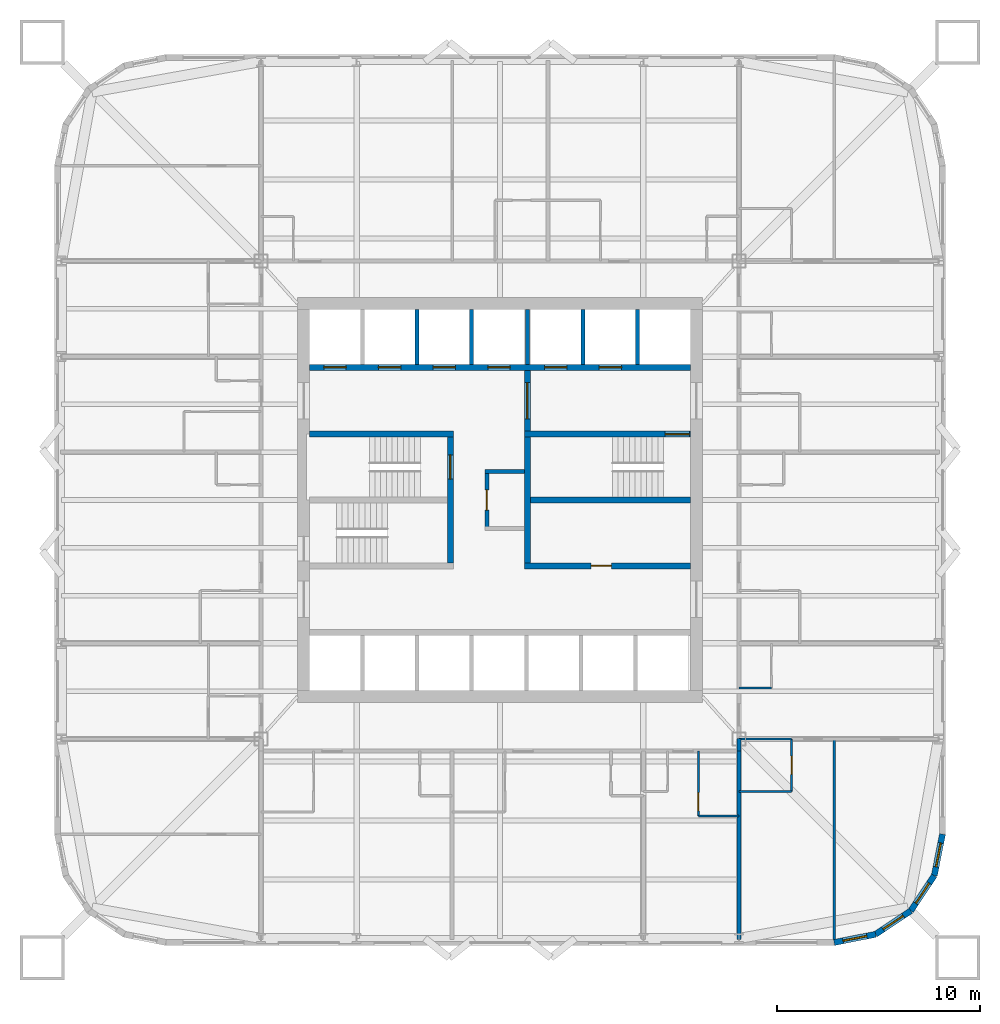
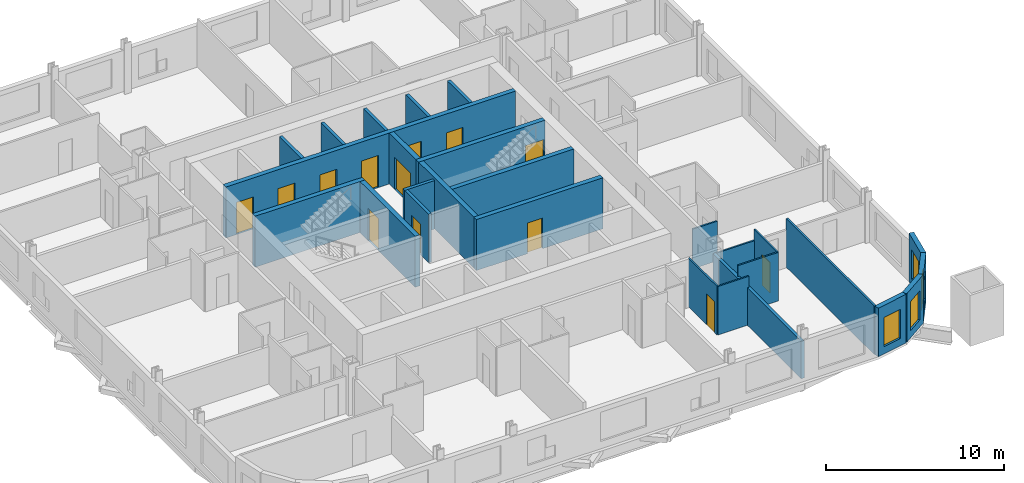
# One storey, part 5 of 10: 27 walls, 13 doors, 4 windows, 17 openings.
"""IFC4 building model written with IfcOpenShell, lengths in metres."""

from ifc_helpers import new_model, si_unit, direction, frame, frame_2d, origin, place, context, subcontext, project, spatial, rectangle, extrude, material, layer, layer_set, type_object, element, fill, save


model = new_model("IFC4")

# Units and contexts
model_context = context("Model", 3, precision=1e-05, world=origin(), true_north=direction((0.0, 1.0)))
body_context = subcontext(model_context, "Body", "Model", "MODEL_VIEW")
ifc_project = project(units=[si_unit("LENGTHUNIT", "METRE"), si_unit("AREAUNIT", "SQUARE_METRE"), si_unit("VOLUMEUNIT", "CUBIC_METRE"), si_unit("PLANEANGLEUNIT", "RADIAN"), si_unit("MASSUNIT", "GRAM", prefix="KILO")], contexts=[model_context])

# Site, building, storey
site_placement = place(None, origin())
site = spatial("IfcSite", under=ifc_project, at=site_placement, CompositionType="ELEMENT")
building_placement = place(site_placement, origin())
building = spatial("IfcBuilding", under=site, at=building_placement, Name="Turquesa Mirador Hotel Tower", CompositionType="ELEMENT")
storey_placement = place(building_placement, frame((0.0, 0.0, 60.0)))
storey = spatial("IfcBuildingStorey", under=building, at=storey_placement, Name="L15", CompositionType="ELEMENT", Elevation=60.0)

# Walls
ifc_material_1 = material(Name="Gypsum board on steel studs", Category="steel")
ifc_layer_1 = layer(ifc_material_1, 0.10009765625)
ifc_layer_set_1 = layer_set([ifc_layer_1], Name="BATHROOM WALL 100")
wall_type_1 = type_object("IfcWallType", Name="BATHROOM WALL 100", PredefinedType="PARTITIONING", material=ifc_layer_set_1)
wall_1_placement = place(storey_placement, frame((66.800048828125, 33.199951171875, 0.0), z_axis=(0.0, 0.0, 1.0), x_axis=(1.0, 0.0, 0.0)))
element("IfcWall", 1, at=wall_1_placement, inside=storey, type_object=wall_type_1, Name="Partition L15 001", PredefinedType="PARTITIONING", context=body_context, shape_type="SweptSolid", body=[
    extrude(rectangle(XDim=2.599853515625, YDim=0.10009765625, at=frame_2d((1.2998046875, 0.0))), origin(), (0.0, 0.0, 1.0), 2.572998046875),
])
wall_2_placement = place(storey_placement, frame((66.800048828125, 30.60009765625, 0.0), z_axis=(0.0, 0.0, 1.0), x_axis=(1.0, 0.0, 0.0)))
element("IfcWall", 2, at=wall_2_placement, inside=storey, type_object=wall_type_1, Name="Partition L15 006", PredefinedType="PARTITIONING", context=body_context, shape_type="SweptSolid", body=[
    extrude(rectangle(XDim=2.599853515625, YDim=0.10009765625, at=frame_2d((1.2998046875, 0.0))), origin(), (0.0, 0.0, 1.0), 3.330078125),
])
wall_3_placement = place(storey_placement, frame((64.800048828125, 29.39990234375, 0.0), z_axis=(0.0, 0.0, 1.0), x_axis=(1.0, 0.0, 0.0)))
element("IfcWall", 3, at=wall_3_placement, inside=storey, type_object=wall_type_1, Name="Partition L15 011", PredefinedType="PARTITIONING", context=body_context, shape_type="SweptSolid", body=[
    extrude(rectangle(XDim=2.0, YDim=0.10009765625, at=frame_2d((1.0, 0.0))), origin(), (0.0, 0.0, 1.0), 3.330078125),
])
wall_4_placement = place(storey_placement, frame((66.800048828125, 35.719970703125, 0.0), z_axis=(0.0, 0.0, 1.0), x_axis=(1.0, 0.0, 0.0)))
element("IfcWall", 4, at=wall_4_placement, inside=storey, type_object=wall_type_1, Name="Partition L15 017", PredefinedType="PARTITIONING", context=body_context, shape_type="SweptSolid", body=[
    extrude(rectangle(XDim=1.599853515625, YDim=0.10009765625, at=frame_2d((0.7998046875, 0.0))), origin(), (0.0, 0.0, 1.0), 2.722900390625),
])

# Wall, opening, door
wall_5_placement = place(storey_placement, frame((69.39990234375, 30.60009765625, 0.0), z_axis=(0.0, 0.0, 1.0), x_axis=(0.0, 1.0, 0.0)))
wall_5 = element("IfcWall", 5, at=wall_5_placement, inside=storey, type_object=wall_type_1, Name="Partition L15 064", PredefinedType="PARTITIONING", context=body_context, shape_type="SweptSolid", body=[
    extrude(rectangle(XDim=2.599853515625, YDim=0.10009765625, at=frame_2d((1.2998046875, 0.0))), origin(), (0.0, 0.0, 1.0), 3.330078125),
])
opening_1_placement = place(wall_5_placement, frame((0.85009765625, 0.0, 0.0)))
opening_1 = element("IfcOpeningElement", 6, at=opening_1_placement, cuts=wall_5, Name="Opening D02", PredefinedType="OPENING", context=body_context, shape_type="SweptSolid", body=[
    extrude(rectangle(XDim=0.89990234375, YDim=2.10009765625, at=frame_2d((0.449951171875, 1.050048828125))), frame((0.0, 0.06005859375, 0.0), z_axis=(0.0, -1.0, 0.0), x_axis=(1.0, 0.0, 0.0)), (0.0, 0.0, 1.0), 0.1201171875),
])
ifc_material_2 = material(Name="Timber veneered door", Category="wood")
door_type_1 = type_object("IfcDoorType", Name="DOOR 900X2100 EN-SUITE", OperationType="SINGLE_SWING_RIGHT", PredefinedType="DOOR", material=ifc_material_2)
door_1_placement = place(opening_1_placement, origin())
door_1 = element("IfcDoor", 7, at=door_1_placement, inside=storey, type_object=door_type_1, Name="Door 1513B", OperationType="SINGLE_SWING_RIGHT", OverallHeight=2.10009765625, OverallWidth=0.89990234375, PredefinedType="DOOR", context=body_context, shape_type="SweptSolid", body=[
    extrude(rectangle(XDim=0.89990234375, YDim=2.10009765625, at=frame_2d((0.449951171875, 1.050048828125))), frame((0.0, 0.02490234375, 0.0), z_axis=(0.0, -1.0, 0.0), x_axis=(1.0, 0.0, 0.0)), (0.0, 0.0, 1.0), 0.050048828125),
])
fill(opening_1, door_1)

wall_6_placement = place(storey_placement, frame((64.800048828125, 29.39990234375, 0.0), z_axis=(0.0, 0.0, 1.0), x_axis=(0.0, 1.0, 0.0)))
wall_6 = element("IfcWall", 8, at=wall_6_placement, inside=storey, type_object=wall_type_1, Name="Partition L15 076", PredefinedType="PARTITIONING", context=body_context, shape_type="SweptSolid", body=[
    extrude(rectangle(XDim=3.2001953125, YDim=0.10009765625, at=frame_2d((1.60009765625, 0.0))), origin(), (0.0, 0.0, 1.0), 3.330078125),
])
opening_2_placement = place(wall_6_placement, frame((0.25, 0.0, 0.0)))
opening_2 = element("IfcOpeningElement", 9, at=opening_2_placement, cuts=wall_6, Name="Opening D02", PredefinedType="OPENING", context=body_context, shape_type="SweptSolid", body=[
    extrude(rectangle(XDim=0.89990234375, YDim=2.10009765625, at=frame_2d((0.449951171875, 1.050048828125))), frame((0.0, 0.06005859375, 0.0), z_axis=(0.0, -1.0, 0.0), x_axis=(1.0, 0.0, 0.0)), (0.0, 0.0, 1.0), 0.1201171875),
])
door_2_placement = place(opening_2_placement, origin())
door_2 = element("IfcDoor", 10, at=door_2_placement, inside=storey, type_object=door_type_1, Name="Door 1505B", OperationType="SINGLE_SWING_RIGHT", OverallHeight=2.10009765625, OverallWidth=0.89990234375, PredefinedType="DOOR", context=body_context, shape_type="SweptSolid", body=[
    extrude(rectangle(XDim=0.89990234375, YDim=2.10009765625, at=frame_2d((0.449951171875, 1.050048828125))), frame((0.0, 0.02490234375, 0.0), z_axis=(0.0, -1.0, 0.0), x_axis=(1.0, 0.0, 0.0)), (0.0, 0.0, 1.0), 0.050048828125),
])
fill(opening_2, door_2)

# Wall, openings, doors
ifc_material_3 = material(Name="Concrete C50/60", Category="concrete")
ifc_layer_2 = layer(ifc_material_3, 0.300048828125)
ifc_layer_set_2 = layer_set([ifc_layer_2], Name="CORE INNER WALL 300")
wall_type_2 = type_object("IfcWallType", Name="CORE INNER WALL 300", PredefinedType="SHEAR", material=ifc_layer_set_2)
wall_7_placement = place(storey_placement, frame((45.60009765625, 51.550048828125, 0.0), z_axis=(0.0, 0.0, 1.0), x_axis=(1.0, 0.0, 0.0)))
wall_7 = element("IfcWall", 11, at=wall_7_placement, inside=storey, type_object=wall_type_2, Name="Core wall NL", PredefinedType="SHEAR", context=body_context, shape_type="SweptSolid", body=[
    extrude(rectangle(XDim=18.7998046875, YDim=0.300048828125, at=frame_2d((9.39990234375, 0.0))), origin(), (0.0, 0.0, 1.0), 3.5),
])
opening_3_placement = place(wall_7_placement, frame((0.699951171875, 0.0, 0.0)))
opening_3 = element("IfcOpeningElement", 12, at=opening_3_placement, cuts=wall_7, Name="Opening LD", PredefinedType="OPENING", context=body_context, shape_type="SweptSolid", body=[
    extrude(rectangle(XDim=1.10009765625, YDim=2.199951171875, at=frame_2d((0.550048828125, 1.10009765625))), frame((0.0, 0.159912109375, 0.0), z_axis=(0.0, -1.0, 0.0), x_axis=(1.0, 0.0, 0.0)), (0.0, 0.0, 1.0), 0.320068359375),
])
opening_4_placement = place(wall_7_placement, frame((3.39990234375, 0.0, 0.0)))
opening_4 = element("IfcOpeningElement", 13, at=opening_4_placement, cuts=wall_7, Name="Opening LD", PredefinedType="OPENING", context=body_context, shape_type="SweptSolid", body=[
    extrude(rectangle(XDim=1.10009765625, YDim=2.199951171875, at=frame_2d((0.550048828125, 1.10009765625))), frame((0.0, 0.159912109375, 0.0), z_axis=(0.0, -1.0, 0.0), x_axis=(1.0, 0.0, 0.0)), (0.0, 0.0, 1.0), 0.320068359375),
])
opening_5_placement = place(wall_7_placement, frame((6.10009765625, 0.0, 0.0)))
opening_5 = element("IfcOpeningElement", 14, at=opening_5_placement, cuts=wall_7, Name="Opening LD", PredefinedType="OPENING", context=body_context, shape_type="SweptSolid", body=[
    extrude(rectangle(XDim=1.10009765625, YDim=2.199951171875, at=frame_2d((0.550048828125, 1.10009765625))), frame((0.0, 0.159912109375, 0.0), z_axis=(0.0, -1.0, 0.0), x_axis=(1.0, 0.0, 0.0)), (0.0, 0.0, 1.0), 0.320068359375),
])
opening_6_placement = place(wall_7_placement, frame((8.800048828125, 0.0, 0.0)))
opening_6 = element("IfcOpeningElement", 15, at=opening_6_placement, cuts=wall_7, Name="Opening LD", PredefinedType="OPENING", context=body_context, shape_type="SweptSolid", body=[
    extrude(rectangle(XDim=1.10009765625, YDim=2.199951171875, at=frame_2d((0.550048828125, 1.10009765625))), frame((0.0, 0.159912109375, 0.0), z_axis=(0.0, -1.0, 0.0), x_axis=(1.0, 0.0, 0.0)), (0.0, 0.0, 1.0), 0.320068359375),
])
opening_7_placement = place(wall_7_placement, frame((11.60009765625, 0.0, 0.0)))
opening_7 = element("IfcOpeningElement", 16, at=opening_7_placement, cuts=wall_7, Name="Opening LD", PredefinedType="OPENING", context=body_context, shape_type="SweptSolid", body=[
    extrude(rectangle(XDim=1.10009765625, YDim=2.199951171875, at=frame_2d((0.550048828125, 1.10009765625))), frame((0.0, 0.159912109375, 0.0), z_axis=(0.0, -1.0, 0.0), x_axis=(1.0, 0.0, 0.0)), (0.0, 0.0, 1.0), 0.320068359375),
])
opening_8_placement = place(wall_7_placement, frame((14.300048828125, 0.0, 0.0)))
opening_8 = element("IfcOpeningElement", 17, at=opening_8_placement, cuts=wall_7, Name="Opening LD", PredefinedType="OPENING", context=body_context, shape_type="SweptSolid", body=[
    extrude(rectangle(XDim=1.10009765625, YDim=2.199951171875, at=frame_2d((0.550048828125, 1.10009765625))), frame((0.0, 0.159912109375, 0.0), z_axis=(0.0, -1.0, 0.0), x_axis=(1.0, 0.0, 0.0)), (0.0, 0.0, 1.0), 0.320068359375),
])
ifc_material_4 = material(Name="Stainless steel lift landing door", Category="steel")
door_type_2 = type_object("IfcDoorType", Name="LIFT LANDING DOOR 1100X2200", OperationType="SLIDING_TO_LEFT", PredefinedType="DOOR", material=ifc_material_4)
door_3_placement = place(opening_3_placement, origin())
door_3 = element("IfcDoor", 18, at=door_3_placement, inside=storey, type_object=door_type_2, Name="Lift A1 landing door", OperationType="SLIDING_TO_LEFT", OverallHeight=2.199951171875, OverallWidth=1.10009765625, PredefinedType="DOOR", context=body_context, shape_type="SweptSolid", body=[
    extrude(rectangle(XDim=1.10009765625, YDim=2.199951171875, at=frame_2d((0.550048828125, 1.10009765625))), frame((0.0, 0.02490234375, 0.0), z_axis=(0.0, -1.0, 0.0), x_axis=(1.0, 0.0, 0.0)), (0.0, 0.0, 1.0), 0.050048828125),
])
fill(opening_3, door_3)
door_4_placement = place(opening_4_placement, origin())
door_4 = element("IfcDoor", 19, at=door_4_placement, inside=storey, type_object=door_type_2, Name="Lift A2 landing door", OperationType="SLIDING_TO_LEFT", OverallHeight=2.199951171875, OverallWidth=1.10009765625, PredefinedType="DOOR", context=body_context, shape_type="SweptSolid", body=[
    extrude(rectangle(XDim=1.10009765625, YDim=2.199951171875, at=frame_2d((0.550048828125, 1.10009765625))), frame((0.0, 0.02490234375, 0.0), z_axis=(0.0, -1.0, 0.0), x_axis=(1.0, 0.0, 0.0)), (0.0, 0.0, 1.0), 0.050048828125),
])
fill(opening_4, door_4)
door_5_placement = place(opening_5_placement, origin())
door_5 = element("IfcDoor", 20, at=door_5_placement, inside=storey, type_object=door_type_2, Name="Lift A3 landing door", OperationType="SLIDING_TO_LEFT", OverallHeight=2.199951171875, OverallWidth=1.10009765625, PredefinedType="DOOR", context=body_context, shape_type="SweptSolid", body=[
    extrude(rectangle(XDim=1.10009765625, YDim=2.199951171875, at=frame_2d((0.550048828125, 1.10009765625))), frame((0.0, 0.02490234375, 0.0), z_axis=(0.0, -1.0, 0.0), x_axis=(1.0, 0.0, 0.0)), (0.0, 0.0, 1.0), 0.050048828125),
])
fill(opening_5, door_5)
door_6_placement = place(opening_6_placement, origin())
door_6 = element("IfcDoor", 21, at=door_6_placement, inside=storey, type_object=door_type_2, Name="Lift A4 landing door", OperationType="SLIDING_TO_LEFT", OverallHeight=2.199951171875, OverallWidth=1.10009765625, PredefinedType="DOOR", context=body_context, shape_type="SweptSolid", body=[
    extrude(rectangle(XDim=1.10009765625, YDim=2.199951171875, at=frame_2d((0.550048828125, 1.10009765625))), frame((0.0, 0.02490234375, 0.0), z_axis=(0.0, -1.0, 0.0), x_axis=(1.0, 0.0, 0.0)), (0.0, 0.0, 1.0), 0.050048828125),
])
fill(opening_6, door_6)
door_7_placement = place(opening_7_placement, origin())
door_7 = element("IfcDoor", 22, at=door_7_placement, inside=storey, type_object=door_type_2, Name="Lift S1 landing door", OperationType="SLIDING_TO_LEFT", OverallHeight=2.199951171875, OverallWidth=1.10009765625, PredefinedType="DOOR", context=body_context, shape_type="SweptSolid", body=[
    extrude(rectangle(XDim=1.10009765625, YDim=2.199951171875, at=frame_2d((0.550048828125, 1.10009765625))), frame((0.0, 0.02490234375, 0.0), z_axis=(0.0, -1.0, 0.0), x_axis=(1.0, 0.0, 0.0)), (0.0, 0.0, 1.0), 0.050048828125),
])
fill(opening_7, door_7)
door_8_placement = place(opening_8_placement, origin())
door_8 = element("IfcDoor", 23, at=door_8_placement, inside=storey, type_object=door_type_2, Name="Lift S2 landing door", OperationType="SLIDING_TO_LEFT", OverallHeight=2.199951171875, OverallWidth=1.10009765625, PredefinedType="DOOR", context=body_context, shape_type="SweptSolid", body=[
    extrude(rectangle(XDim=1.10009765625, YDim=2.199951171875, at=frame_2d((0.550048828125, 1.10009765625))), frame((0.0, 0.02490234375, 0.0), z_axis=(0.0, -1.0, 0.0), x_axis=(1.0, 0.0, 0.0)), (0.0, 0.0, 1.0), 0.050048828125),
])
fill(opening_8, door_8)

# Wall
wall_8_placement = place(storey_placement, frame((45.60009765625, 48.25, 0.0), z_axis=(0.0, 0.0, 1.0), x_axis=(1.0, 0.0, 0.0)))
element("IfcWall", 24, at=wall_8_placement, inside=storey, type_object=wall_type_2, Name="Core wall MN-W", PredefinedType="SHEAR", context=body_context, shape_type="SweptSolid", body=[
    extrude(rectangle(XDim=7.099853515625, YDim=0.300048828125, at=frame_2d((3.5498046875, 0.0))), origin(), (0.0, 0.0, 1.0), 3.5),
])

# Wall, opening, door
wall_9_placement = place(storey_placement, frame((56.199951171875, 48.25, 0.0), z_axis=(0.0, 0.0, 1.0), x_axis=(1.0, 0.0, 0.0)))
wall_9 = element("IfcWall", 25, at=wall_9_placement, inside=storey, type_object=wall_type_2, Name="Core wall MN-E", PredefinedType="SHEAR", context=body_context, shape_type="SweptSolid", body=[
    extrude(rectangle(XDim=8.199951171875, YDim=0.300048828125, at=frame_2d((4.10009765625, 0.0))), origin(), (0.0, 0.0, 1.0), 3.5),
])
opening_9_placement = place(wall_9_placement, frame((6.949951171875, 0.0, 0.0)))
opening_9 = element("IfcOpeningElement", 26, at=opening_9_placement, cuts=wall_9, Name="Opening D03", PredefinedType="OPENING", context=body_context, shape_type="SweptSolid", body=[
    extrude(rectangle(XDim=1.199951171875, YDim=2.199951171875, at=frame_2d((0.60009765625, 1.10009765625))), frame((0.0, 0.159912109375, 0.0), z_axis=(0.0, -1.0, 0.0), x_axis=(1.0, 0.0, 0.0)), (0.0, 0.0, 1.0), 0.320068359375),
])
ifc_material_5 = material(Name="Steel fire door", Category="steel")
door_type_3 = type_object("IfcDoorType", Name="DOOR 1200X2200 STAIR", OperationType="SINGLE_SWING_LEFT", PredefinedType="DOOR", material=ifc_material_5)
door_9_placement = place(opening_9_placement, origin())
door_9 = element("IfcDoor", 27, at=door_9_placement, inside=storey, type_object=door_type_3, Name="Stair ST3 door", OperationType="SINGLE_SWING_LEFT", OverallHeight=2.199951171875, OverallWidth=1.199951171875, PredefinedType="DOOR", context=body_context, shape_type="SweptSolid", body=[
    extrude(rectangle(XDim=1.199951171875, YDim=2.199951171875, at=frame_2d((0.60009765625, 1.10009765625))), frame((0.0, 0.02490234375, 0.0), z_axis=(0.0, -1.0, 0.0), x_axis=(1.0, 0.0, 0.0)), (0.0, 0.0, 1.0), 0.050048828125),
])
fill(opening_9, door_9)

wall_10_placement = place(storey_placement, frame((56.199951171875, 41.75, 0.0), z_axis=(0.0, 0.0, 1.0), x_axis=(1.0, 0.0, 0.0)))
wall_10 = element("IfcWall", 28, at=wall_10_placement, inside=storey, type_object=wall_type_2, Name="Core wall MS-E", PredefinedType="SHEAR", context=body_context, shape_type="SweptSolid", body=[
    extrude(rectangle(XDim=8.199951171875, YDim=0.300048828125, at=frame_2d((4.10009765625, 0.0))), origin(), (0.0, 0.0, 1.0), 3.5),
])
opening_10_placement = place(wall_10_placement, frame((3.300048828125, 0.0, 0.0)))
opening_10 = element("IfcOpeningElement", 29, at=opening_10_placement, cuts=wall_10, Name="Opening D05", PredefinedType="OPENING", context=body_context, shape_type="SweptSolid", body=[
    extrude(rectangle(XDim=1.0, YDim=2.10009765625, at=frame_2d((0.5, 1.050048828125))), frame((0.0, 0.159912109375, 0.0), z_axis=(0.0, -1.0, 0.0), x_axis=(1.0, 0.0, 0.0)), (0.0, 0.0, 1.0), 0.320068359375),
])
ifc_material_6 = material(Name="Steel fire door", Category="steel")
door_type_4 = type_object("IfcDoorType", Name="DOOR 1000X2100 SERVICE", OperationType="SINGLE_SWING_LEFT", PredefinedType="DOOR", material=ifc_material_6)
door_10_placement = place(opening_10_placement, origin())
door_10 = element("IfcDoor", 30, at=door_10_placement, inside=storey, type_object=door_type_4, Name="Housekeeping room door", OperationType="SINGLE_SWING_LEFT", OverallHeight=2.10009765625, OverallWidth=1.0, PredefinedType="DOOR", context=body_context, shape_type="SweptSolid", body=[
    extrude(rectangle(XDim=1.0, YDim=2.10009765625, at=frame_2d((0.5, 1.050048828125))), frame((0.0, 0.02490234375, 0.0), z_axis=(0.0, -1.0, 0.0), x_axis=(1.0, 0.0, 0.0)), (0.0, 0.0, 1.0), 0.050048828125),
])
fill(opening_10, door_10)

wall_11_placement = place(storey_placement, frame((52.550048828125, 41.89990234375, 0.0), z_axis=(0.0, 0.0, 1.0), x_axis=(0.0, 1.0, 0.0)))
wall_11 = element("IfcWall", 31, at=wall_11_placement, inside=storey, type_object=wall_type_2, Name="Core wall PW", PredefinedType="SHEAR", context=body_context, shape_type="SweptSolid", body=[
    extrude(rectangle(XDim=6.2001953125, YDim=0.300048828125, at=frame_2d((3.10009765625, 0.0))), origin(), (0.0, 0.0, 1.0), 3.5),
])
opening_11_placement = place(wall_11_placement, frame((4.125, 0.0, 0.0)))
opening_11 = element("IfcOpeningElement", 32, at=opening_11_placement, cuts=wall_11, Name="Opening D03", PredefinedType="OPENING", context=body_context, shape_type="SweptSolid", body=[
    extrude(rectangle(XDim=1.199951171875, YDim=2.199951171875, at=frame_2d((0.60009765625, 1.10009765625))), frame((0.0, 0.159912109375, 0.0), z_axis=(0.0, -1.0, 0.0), x_axis=(1.0, 0.0, 0.0)), (0.0, 0.0, 1.0), 0.320068359375),
])
door_11_placement = place(opening_11_placement, origin())
door_11 = element("IfcDoor", 33, at=door_11_placement, inside=storey, type_object=door_type_3, Name="Stair ST1 door", OperationType="SINGLE_SWING_LEFT", OverallHeight=2.199951171875, OverallWidth=1.199951171875, PredefinedType="DOOR", context=body_context, shape_type="SweptSolid", body=[
    extrude(rectangle(XDim=1.199951171875, YDim=2.199951171875, at=frame_2d((0.60009765625, 1.10009765625))), frame((0.0, 0.02490234375, 0.0), z_axis=(0.0, -1.0, 0.0), x_axis=(1.0, 0.0, 0.0)), (0.0, 0.0, 1.0), 0.050048828125),
])
fill(opening_11, door_11)

wall_12_placement = place(storey_placement, frame((56.35009765625, 41.89990234375, 0.0), z_axis=(0.0, 0.0, 1.0), x_axis=(0.0, 1.0, 0.0)))
wall_12 = element("IfcWall", 34, at=wall_12_placement, inside=storey, type_object=wall_type_2, Name="Core wall PE", PredefinedType="SHEAR", context=body_context, shape_type="SweptSolid", body=[
    extrude(rectangle(XDim=9.5, YDim=0.300048828125, at=frame_2d((4.75, 0.0))), origin(), (0.0, 0.0, 1.0), 3.5),
])
opening_12_placement = place(wall_12_placement, frame((7.10009765625, 0.0, 0.0)))
opening_12 = element("IfcOpeningElement", 35, at=opening_12_placement, cuts=wall_12, Name="Opening D04", PredefinedType="OPENING", context=body_context, shape_type="SweptSolid", body=[
    extrude(rectangle(XDim=1.800048828125, YDim=2.199951171875, at=frame_2d((0.89990234375, 1.10009765625))), frame((0.0, 0.159912109375, 0.0), z_axis=(0.0, -1.0, 0.0), x_axis=(1.0, 0.0, 0.0)), (0.0, 0.0, 1.0), 0.320068359375),
])
ifc_material_7 = material(Name="Steel fire door pair", Category="steel")
door_type_5 = type_object("IfcDoorType", Name="DOOR 1800X2200 PAIR", OperationType="DOUBLE_DOOR_SINGLE_SWING", PredefinedType="DOOR", material=ifc_material_7)
door_12_placement = place(opening_12_placement, origin())
door_12 = element("IfcDoor", 36, at=door_12_placement, inside=storey, type_object=door_type_5, Name="Firefighting lobby inner door", OperationType="DOUBLE_DOOR_SINGLE_SWING", OverallHeight=2.199951171875, OverallWidth=1.800048828125, PredefinedType="DOOR", context=body_context, shape_type="SweptSolid", body=[
    extrude(rectangle(XDim=1.800048828125, YDim=2.199951171875, at=frame_2d((0.89990234375, 1.10009765625))), frame((0.0, 0.02490234375, 0.0), z_axis=(0.0, -1.0, 0.0), x_axis=(1.0, 0.0, 0.0)), (0.0, 0.0, 1.0), 0.050048828125),
])
fill(opening_12, door_12)

# Walls
wall_13_placement = place(storey_placement, frame((56.5, 45.0, 0.0), z_axis=(0.0, 0.0, 1.0), x_axis=(1.0, 0.0, 0.0)))
element("IfcWall", 37, at=wall_13_placement, inside=storey, type_object=wall_type_2, Name="Core wall M0-E", PredefinedType="SHEAR", context=body_context, shape_type="SweptSolid", body=[
    extrude(rectangle(XDim=7.89990234375, YDim=0.300048828125, at=frame_2d((3.949951171875, 0.0))), origin(), (0.0, 0.0, 1.0), 3.5),
])
ifc_material_8 = material(Name="Fire-rated gypsum board on steel studs", Category="steel")
ifc_layer_3 = layer(ifc_material_8, 0.199951171875)
ifc_layer_set_3 = layer_set([ifc_layer_3], Name="CORRIDOR WALL 200")
wall_type_3 = type_object("IfcWallType", Name="CORRIDOR WALL 200", PredefinedType="PARTITIONING", material=ifc_layer_set_3)
wall_14_placement = place(storey_placement, frame((66.800048828125, 32.60009765625, 0.0), z_axis=(0.0, 0.0, 1.0), x_axis=(0.0, 1.0, 0.0)))
element("IfcWall", 38, at=wall_14_placement, inside=storey, type_object=wall_type_3, Name="Partition L15 078", PredefinedType="PARTITIONING", context=body_context, shape_type="SweptSolid", body=[
    extrude(rectangle(XDim=0.619873046875, YDim=0.199951171875, at=frame_2d((0.31005859375, 0.0))), origin(), (0.0, 0.0, 1.0), 2.572998046875),
])

# Wall, opening, window
ifc_material_9 = material(Name="Limestone cladding on concrete block", Category="masonry")
ifc_layer_4 = layer(ifc_material_9, 0.300048828125)
ifc_layer_set_4 = layer_set([ifc_layer_4], Name="FACADE WALL 300 STONE SCREEN")
wall_type_4 = type_object("IfcWallType", Name="FACADE WALL 300 STONE SCREEN", PredefinedType="SOLIDWALL", material=ifc_layer_set_4)
wall_15_placement = place(storey_placement, frame((71.5, 23.14990234375, 0.0), z_axis=(0.0, 0.0, 1.0), x_axis=(0.980787050784, 0.195081421501, 0.0)))
wall_15 = element("IfcWall", 39, at=wall_15_placement, inside=storey, type_object=wall_type_4, Name="Facade wall L15 00", PredefinedType="SOLIDWALL", context=body_context, shape_type="SweptSolid", body=[
    extrude(rectangle(XDim=2.08740234375, YDim=0.300048828125, at=frame_2d((1.043701171875, 0.0))), origin(), (0.0, 0.0, 1.0), 3.330078125),
])
opening_13_placement = place(wall_15_placement, frame((0.443603515625, 0.0, 0.5)))
opening_13 = element("IfcOpeningElement", 40, at=opening_13_placement, cuts=wall_15, Name="Opening WN4", PredefinedType="OPENING", context=body_context, shape_type="SweptSolid", body=[
    extrude(rectangle(XDim=1.199951171875, YDim=2.0, at=frame_2d((0.60009765625, 1.0))), frame((0.0, 0.159912109375, 0.0), z_axis=(0.0, -1.0, 0.0), x_axis=(1.0, 0.0, 0.0)), (0.0, 0.0, 1.0), 0.320068359375),
])
ifc_material_10 = material(Name="Ceramic-fritted laminated glass", Category="glass")
window_type = type_object("IfcWindowType", Name="FRITTED CORNER WINDOW 1200X2000", PartitioningType="DOUBLE_PANEL_HORIZONTAL", PredefinedType="WINDOW", material=ifc_material_10)
window_1_placement = place(opening_13_placement, origin())
window_1 = element("IfcWindow", 41, at=window_1_placement, inside=storey, type_object=window_type, Name="Window L15", OverallHeight=2.0, OverallWidth=1.199951171875, PartitioningType="SINGLE_PANEL", PredefinedType="WINDOW", context=body_context, shape_type="SweptSolid", body=[
    extrude(rectangle(XDim=1.199951171875, YDim=2.0, at=frame_2d((0.60009765625, 1.0))), frame((0.0, 0.030029296875, 0.0), z_axis=(0.0, -1.0, 0.0), x_axis=(1.0, 0.0, 0.0)), (0.0, 0.0, 1.0), 0.06005859375),
])
fill(opening_13, window_1)

wall_16_placement = place(storey_placement, frame((73.54736328125, 23.55712890625, 0.0), z_axis=(0.0, 0.0, 1.0), x_axis=(0.831420010345, 0.555644460423, 0.0)))
wall_16 = element("IfcWall", 42, at=wall_16_placement, inside=storey, type_object=wall_type_4, Name="Facade wall L15 01", PredefinedType="SOLIDWALL", context=body_context, shape_type="SweptSolid", body=[
    extrude(rectangle(XDim=2.08740234375, YDim=0.300048828125, at=frame_2d((1.043701171875, 0.0))), origin(), (0.0, 0.0, 1.0), 3.330078125),
])
opening_14_placement = place(wall_16_placement, frame((0.443603515625, 0.0, 0.5)))
opening_14 = element("IfcOpeningElement", 43, at=opening_14_placement, cuts=wall_16, Name="Opening WN4", PredefinedType="OPENING", context=body_context, shape_type="SweptSolid", body=[
    extrude(rectangle(XDim=1.199951171875, YDim=2.0, at=frame_2d((0.60009765625, 1.0))), frame((0.0, 0.159912109375, 0.0), z_axis=(0.0, -1.0, 0.0), x_axis=(1.0, 0.0, 0.0)), (0.0, 0.0, 1.0), 0.320068359375),
])
window_2_placement = place(opening_14_placement, origin())
window_2 = element("IfcWindow", 44, at=window_2_placement, inside=storey, type_object=window_type, Name="Window L15", OverallHeight=2.0, OverallWidth=1.199951171875, PartitioningType="SINGLE_PANEL", PredefinedType="WINDOW", context=body_context, shape_type="SweptSolid", body=[
    extrude(rectangle(XDim=1.199951171875, YDim=2.0, at=frame_2d((0.60009765625, 1.0))), frame((0.0, 0.030029296875, 0.0), z_axis=(0.0, -1.0, 0.0), x_axis=(1.0, 0.0, 0.0)), (0.0, 0.0, 1.0), 0.06005859375),
])
fill(opening_14, window_2)

wall_17_placement = place(storey_placement, frame((75.282958984375, 24.717041015625, 0.0), z_axis=(0.0, 0.0, 1.0), x_axis=(0.555644460423, 0.831420010345, 0.0)))
wall_17 = element("IfcWall", 45, at=wall_17_placement, inside=storey, type_object=wall_type_4, Name="Facade wall L15 02", PredefinedType="SOLIDWALL", context=body_context, shape_type="SweptSolid", body=[
    extrude(rectangle(XDim=2.08740234375, YDim=0.300048828125, at=frame_2d((1.043701171875, 0.0))), origin(), (0.0, 0.0, 1.0), 3.330078125),
])
opening_15_placement = place(wall_17_placement, frame((0.443603515625, 0.0, 0.5)))
opening_15 = element("IfcOpeningElement", 46, at=opening_15_placement, cuts=wall_17, Name="Opening WN4", PredefinedType="OPENING", context=body_context, shape_type="SweptSolid", body=[
    extrude(rectangle(XDim=1.199951171875, YDim=2.0, at=frame_2d((0.60009765625, 1.0))), frame((0.0, 0.159912109375, 0.0), z_axis=(0.0, -1.0, 0.0), x_axis=(1.0, 0.0, 0.0)), (0.0, 0.0, 1.0), 0.320068359375),
])
window_3_placement = place(opening_15_placement, origin())
window_3 = element("IfcWindow", 47, at=window_3_placement, inside=storey, type_object=window_type, Name="Window L15", OverallHeight=2.0, OverallWidth=1.199951171875, PartitioningType="SINGLE_PANEL", PredefinedType="WINDOW", context=body_context, shape_type="SweptSolid", body=[
    extrude(rectangle(XDim=1.199951171875, YDim=2.0, at=frame_2d((0.60009765625, 1.0))), frame((0.0, 0.030029296875, 0.0), z_axis=(0.0, -1.0, 0.0), x_axis=(1.0, 0.0, 0.0)), (0.0, 0.0, 1.0), 0.06005859375),
])
fill(opening_15, window_3)

wall_18_placement = place(storey_placement, frame((76.44287109375, 26.45263671875, 0.0), z_axis=(0.0, 0.0, 1.0), x_axis=(0.195081421501, 0.980787050784, 0.0)))
wall_18 = element("IfcWall", 48, at=wall_18_placement, inside=storey, type_object=wall_type_4, Name="Facade wall L15 03", PredefinedType="SOLIDWALL", context=body_context, shape_type="SweptSolid", body=[
    extrude(rectangle(XDim=2.08740234375, YDim=0.300048828125, at=frame_2d((1.043701171875, 0.0))), origin(), (0.0, 0.0, 1.0), 3.330078125),
])
opening_16_placement = place(wall_18_placement, frame((0.443603515625, 0.0, 0.5)))
opening_16 = element("IfcOpeningElement", 49, at=opening_16_placement, cuts=wall_18, Name="Opening WN4", PredefinedType="OPENING", context=body_context, shape_type="SweptSolid", body=[
    extrude(rectangle(XDim=1.199951171875, YDim=2.0, at=frame_2d((0.60009765625, 1.0))), frame((0.0, 0.159912109375, 0.0), z_axis=(0.0, -1.0, 0.0), x_axis=(1.0, 0.0, 0.0)), (0.0, 0.0, 1.0), 0.320068359375),
])
window_4_placement = place(opening_16_placement, origin())
window_4 = element("IfcWindow", 50, at=window_4_placement, inside=storey, type_object=window_type, Name="Window L15", OverallHeight=2.0, OverallWidth=1.199951171875, PartitioningType="SINGLE_PANEL", PredefinedType="WINDOW", context=body_context, shape_type="SweptSolid", body=[
    extrude(rectangle(XDim=1.199951171875, YDim=2.0, at=frame_2d((0.60009765625, 1.0))), frame((0.0, 0.030029296875, 0.0), z_axis=(0.0, -1.0, 0.0), x_axis=(1.0, 0.0, 0.0)), (0.0, 0.0, 1.0), 0.06005859375),
])
fill(opening_16, window_4)

# Wall, opening, door
ifc_material_11 = material(Name="Fire-rated gypsum board on steel studs", Category="steel")
ifc_layer_5 = layer(ifc_material_11, 0.199951171875)
ifc_layer_set_5 = layer_set([ifc_layer_5], Name="FIRE PARTITION 200")
wall_type_5 = type_object("IfcWallType", Name="FIRE PARTITION 200", PredefinedType="PARTITIONING", material=ifc_layer_set_5)
wall_19_placement = place(storey_placement, frame((54.35009765625, 43.60009765625, 0.0), z_axis=(0.0, 0.0, 1.0), x_axis=(0.0, 1.0, 0.0)))
wall_19 = element("IfcWall", 51, at=wall_19_placement, inside=storey, type_object=wall_type_5, Name="Partition L15 VD W", PredefinedType="PARTITIONING", context=body_context, shape_type="SweptSolid", body=[
    extrude(rectangle(XDim=2.7998046875, YDim=0.199951171875, at=frame_2d((1.39990234375, 0.0))), origin(), (0.0, 0.0, 1.0), 3.330078125),
])
opening_17_placement = place(wall_19_placement, frame((0.89990234375, 0.0, 0.0)))
opening_17 = element("IfcOpeningElement", 52, at=opening_17_placement, cuts=wall_19, Name="Opening D05", PredefinedType="OPENING", context=body_context, shape_type="SweptSolid", body=[
    extrude(rectangle(XDim=1.0, YDim=2.10009765625, at=frame_2d((0.5, 1.050048828125))), frame((0.0, 0.10986328125, 0.0), z_axis=(0.0, -1.0, 0.0), x_axis=(1.0, 0.0, 0.0)), (0.0, 0.0, 1.0), 0.219970703125),
])
door_13_placement = place(opening_17_placement, origin())
door_13 = element("IfcDoor", 53, at=door_13_placement, inside=storey, type_object=door_type_4, Name="Ice and vending room door", OperationType="SINGLE_SWING_LEFT", OverallHeight=2.10009765625, OverallWidth=1.0, PredefinedType="DOOR", context=body_context, shape_type="SweptSolid", body=[
    extrude(rectangle(XDim=1.0, YDim=2.10009765625, at=frame_2d((0.5, 1.050048828125))), frame((0.0, 0.02490234375, 0.0), z_axis=(0.0, -1.0, 0.0), x_axis=(1.0, 0.0, 0.0)), (0.0, 0.0, 1.0), 0.050048828125),
])
fill(opening_17, door_13)

# Walls
wall_20_placement = place(storey_placement, frame((54.25, 46.39990234375, 0.0), z_axis=(0.0, 0.0, 1.0), x_axis=(1.0, 0.0, 0.0)))
element("IfcWall", 54, at=wall_20_placement, inside=storey, type_object=wall_type_5, Name="Partition L15 VD N", PredefinedType="PARTITIONING", context=body_context, shape_type="SweptSolid", body=[
    extrude(rectangle(XDim=1.949951171875, YDim=0.199951171875, at=frame_2d((0.97509765625, 0.0))), origin(), (0.0, 0.0, 1.0), 3.330078125),
])
ifc_material_12 = material(Name="Fire-rated gypsum shaft wall on steel studs", Category="steel")
ifc_layer_6 = layer(ifc_material_12, 0.199951171875)
ifc_layer_set_6 = layer_set([ifc_layer_6], Name="LIFT SHAFT DIVIDER 200")
wall_type_6 = type_object("IfcWallType", Name="LIFT SHAFT DIVIDER 200", PredefinedType="PARTITIONING", material=ifc_layer_set_6)
for number, where, z_axis, x_axis, name in (
    (55, (50.89990234375, 51.699951171875, 0.0), (0.0, 0.0, 1.0), (0.0, 1.0, 0.0), "Lift shaft divider"),
    (56, (53.60009765625, 51.699951171875, 0.0), (0.0, 0.0, 1.0), (0.0, 1.0, 0.0), "Lift shaft divider"),
    (57, (59.10009765625, 51.699951171875, 0.0), (0.0, 0.0, 1.0), (0.0, 1.0, 0.0), "Lift shaft divider"),
    (58, (61.800048828125, 51.699951171875, 0.0), (0.0, 0.0, 1.0), (0.0, 1.0, 0.0), "Lift shaft divider"),
    (59, (56.35009765625, 51.699951171875, 0.0), (0.0, 0.0, 1.0), (0.0, 1.0, 0.0), "Lift shaft divider"),
):
    element("IfcWall", number, at=place(storey_placement, frame(where, z_axis=z_axis, x_axis=x_axis)), inside=storey, type_object=wall_type_6, Name=name, PredefinedType="PARTITIONING", context=body_context, shape_type="SweptSolid", body=[
        extrude(rectangle(XDim=2.699951171875, YDim=0.199951171875, at=frame_2d((1.35009765625, 0.0))), origin(), (0.0, 0.0, 1.0), 3.330078125),
    ])
ifc_material_13 = material(Name="Fire-rated gypsum board on steel studs", Category="steel")
ifc_layer_7 = layer(ifc_material_13, 0.199951171875)
ifc_layer_set_7 = layer_set([ifc_layer_7], Name="PARTY WALL 200")
wall_type_7 = type_object("IfcWallType", Name="PARTY WALL 200", PredefinedType="PARTITIONING", material=ifc_layer_set_7)
wall_21_placement = place(storey_placement, frame((66.800048828125, 23.300048828125, 0.0), z_axis=(0.0, 0.0, 1.0), x_axis=(0.0, 1.0, 0.0)))
element("IfcWall", 60, at=wall_21_placement, inside=storey, type_object=wall_type_7, Name="Partition L15 059", PredefinedType="PARTITIONING", context=body_context, shape_type="SweptSolid", body=[
    extrude(rectangle(XDim=9.300048828125, YDim=0.199951171875, at=frame_2d((4.64990234375, 0.0))), origin(), (0.0, 0.0, 1.0), 2.572998046875),
])
ifc_material_14 = material(Name="Acoustic gypsum board on steel studs", Category="steel")
ifc_layer_8 = layer(ifc_material_14, 0.125)
ifc_layer_set_8 = layer_set([ifc_layer_8], Name="SUITE PARTITION 125")
wall_type_8 = type_object("IfcWallType", Name="SUITE PARTITION 125", PredefinedType="PARTITIONING", material=ifc_layer_set_8)
wall_22_placement = place(storey_placement, frame((71.5, 23.305908203125, 0.0), z_axis=(0.0, 0.0, 1.0), x_axis=(0.0, 1.0, 0.0)))
element("IfcWall", 61, at=wall_22_placement, inside=storey, type_object=wall_type_8, Name="Partition L15 068", PredefinedType="PARTITIONING", context=body_context, shape_type="SweptSolid", body=[
    extrude(rectangle(XDim=9.89404296875, YDim=0.125, at=frame_2d((4.947021484375, 0.0))), origin(), (0.0, 0.0, 1.0), 3.330078125),
])

save(model, "model.ifc")
